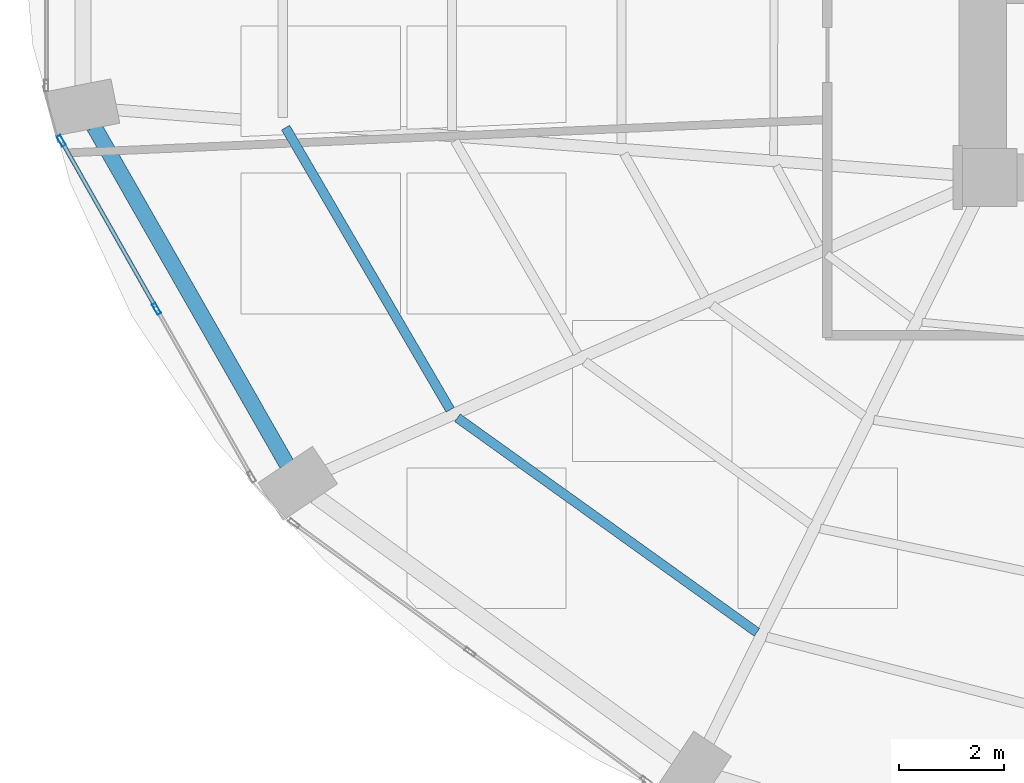
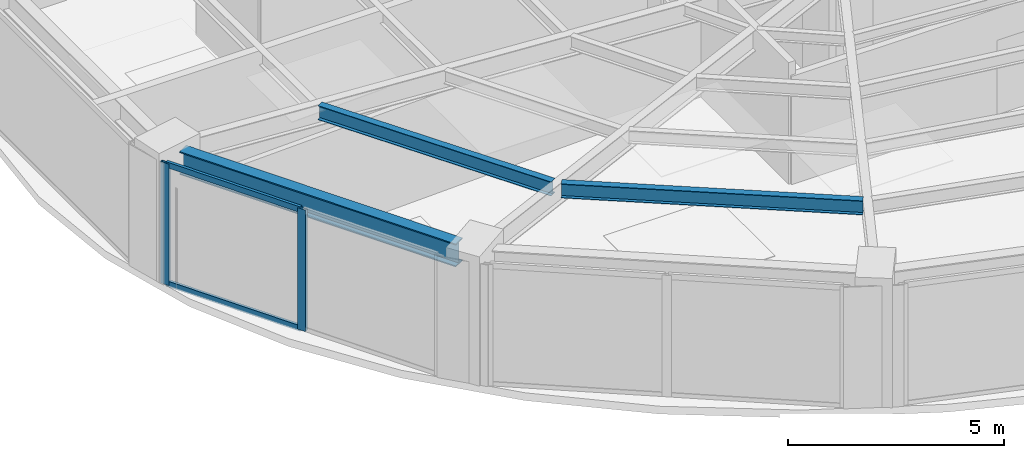
# One storey, part 3 of 24: 4 members, 3 beams, 1 element without a shape of its own.
"""IFC4 building model written with IfcOpenShell, lengths in metres."""

from ifc_helpers import new_model, si_unit, direction, frame, origin, origin_2d, place, context, subcontext, project, spatial, hollow_rectangle, i_section, extrude, material, layer, layer_set, material_profile, profile_set, type_object, element, aggregate, save


model = new_model("IFC4")

# Units and contexts
model_context = context("Model", 3, precision=1e-05, world=origin(), true_north=direction((0.0, 1.0)))
body_context = subcontext(model_context, "Body", "Model", "MODEL_VIEW")
ifc_project = project(units=[si_unit("LENGTHUNIT", "METRE"), si_unit("AREAUNIT", "SQUARE_METRE"), si_unit("VOLUMEUNIT", "CUBIC_METRE"), si_unit("PLANEANGLEUNIT", "RADIAN"), si_unit("MASSUNIT", "GRAM", prefix="KILO")], contexts=[model_context])

# Site, building, storey
site_placement = place(None, origin())
site = spatial("IfcSite", under=ifc_project, at=site_placement, CompositionType="ELEMENT")
building_placement = place(site_placement, origin())
building = spatial("IfcBuilding", under=site, at=building_placement, Name="Lazwardi Medical Tower", CompositionType="ELEMENT")
storey_placement = place(building_placement, frame((0.0, 0.0, 39.7919921875)))
storey = spatial("IfcBuildingStorey", under=building, at=storey_placement, Name="L09", CompositionType="ELEMENT", Elevation=39.7919921875)

# Beams
ifc_material_1 = material(Name="Steel S355", Category="steel")
ifc_material_profile_1 = material_profile(ifc_material_1, i_section(OverallWidth=0.300048828125, OverallDepth=0.64990234375, WebThickness=0.01611328125, FlangeThickness=0.031005859375, at=origin_2d()), Name="HEB 650")
ifc_profile_set_1 = profile_set([ifc_material_profile_1], Name="Steel S355")
beam_type_1 = type_object("IfcBeamType", Name="BM-RB-Z1", PredefinedType="BEAM", material=ifc_profile_set_1)
beam_1_placement = place(storey_placement, frame((9.408203125, 21.36767578125, 3.10302734375), z_axis=(0.49581512241, -0.868428099724, 0.0), x_axis=(0.868428099724, 0.49581512241, 0.0)))
element("IfcBeam", 1, at=beam_1_placement, inside=storey, type_object=beam_type_1, Name="Ring beam RB-02 B13 L09", PredefinedType="BEAM", context=body_context, shape_type="SweptSolid", body=[
    extrude(i_section(OverallWidth=0.300048828125, OverallDepth=0.64990234375, WebThickness=0.01611328125, FlangeThickness=0.031005859375, at=origin_2d()), origin(), (0.0, 0.0, 1.0), 7.389404296875),
])
ifc_material_profile_2 = material_profile(ifc_material_1, i_section(OverallWidth=0.179931640625, OverallDepth=0.39990234375, WebThickness=0.008544921875, FlangeThickness=0.013427734375, at=origin_2d()), Name="IPE 400")
ifc_profile_set_2 = profile_set([ifc_material_profile_2], Name="Steel S355")
beam_type_2 = type_object("IfcBeamType", Name="BM-SJ-01", PredefinedType="JOIST", material=ifc_profile_set_2)
beam_2_placement = place(storey_placement, frame((13.048828125, 21.34765625, 3.22802734375), z_axis=(0.503846579557, -0.863793160582, 0.0), x_axis=(0.863793160582, 0.503846579557, 0.0)))
element("IfcBeam", 2, at=beam_2_placement, inside=storey, type_object=beam_type_2, Name="Secondary joist SJ-01 R1 B13 L09", PredefinedType="JOIST", context=body_context, shape_type="SweptSolid", body=[
    extrude(i_section(OverallWidth=0.179931640625, OverallDepth=0.39990234375, WebThickness=0.008544921875, FlangeThickness=0.013427734375, at=origin_2d()), origin(), (0.0, 0.0, 1.0), 6.20947265625),
])
beam_3_placement = place(storey_placement, frame((16.31591796875, 15.83203125, 3.22802734375), z_axis=(0.812901036873, -0.582401840872, 0.0), x_axis=(0.582401840872, 0.812901036873, 0.0)))
element("IfcBeam", 3, at=beam_3_placement, inside=storey, type_object=beam_type_2, Name="Secondary joist SJ-01 R1 B14 L09", PredefinedType="JOIST", context=body_context, shape_type="SweptSolid", body=[
    extrude(i_section(OverallWidth=0.179931640625, OverallDepth=0.39990234375, WebThickness=0.008544921875, FlangeThickness=0.013427734375, at=origin_2d()), origin(), (0.0, 0.0, 1.0), 7.002197265625),
])

# Curtain wall, members
ifc_material_2 = material(Name="Anodised bronze aluminium and solar control glazing", Category="aluminium")
ifc_layer = layer(ifc_material_2, 0.199951171875)
ifc_layer_set = layer_set([ifc_layer], Name="Anodised bronze aluminium and solar control glazing")
curtain_wall_type = type_object("IfcCurtainWallType", Name="CW-SYS-02", PredefinedType="NOTDEFINED", material=ifc_layer_set)
curtain_wall_placement = place(storey_placement, origin())
curtain_wall = element("IfcCurtainWall", 4, at=curtain_wall_placement, inside=storey, type_object=curtain_wall_type, Name="L09 Unitised bronze curtain wall CW-02", PredefinedType="NOTDEFINED")
ifc_material_3 = material(Name="Anodised bronze aluminium", Category="aluminium")
ifc_material_profile_3 = material_profile(ifc_material_3, hollow_rectangle(XDim=0.074951171875, YDim=0.219970703125, WallThickness=0.00390625, at=origin_2d()), Name="ALU-MULLION 220x75x4")
ifc_profile_set_3 = profile_set([ifc_material_profile_3], Name="Anodised bronze aluminium")
member_type_1 = type_object("IfcMemberType", Name="CW-MUL-01", PredefinedType="MULLION", material=ifc_profile_set_3)
member_1_placement = place(storey_placement, frame((8.785888671875, 21.09765625, 0.0), z_axis=(0.0, 0.0, 1.0), x_axis=(0.870111838823, 0.492854327303, 0.0)))
member_1 = element("IfcMember", 5, at=member_1_placement, type_object=member_type_1, Name="CW-02 mullion 1", PredefinedType="MULLION", context=body_context, shape_type="SweptSolid", body=[
    extrude(hollow_rectangle(XDim=0.074951171875, YDim=0.219970703125, WallThickness=0.00390625, at=origin_2d()), origin(), (0.0, 0.0, 1.0), 3.427978515625),
])
member_2_placement = place(storey_placement, frame((10.5947265625, 17.904541015625, 0.0), z_axis=(0.0, 0.0, 1.0), x_axis=(0.870111838823, 0.492854327303, 0.0)))
member_2 = element("IfcMember", 6, at=member_2_placement, type_object=member_type_1, Name="CW-02 mullion 2", PredefinedType="MULLION", context=body_context, shape_type="SweptSolid", body=[
    extrude(hollow_rectangle(XDim=0.074951171875, YDim=0.219970703125, WallThickness=0.00390625, at=origin_2d()), origin(), (0.0, 0.0, 1.0), 3.427978515625),
])
ifc_material_profile_4 = material_profile(ifc_material_3, hollow_rectangle(XDim=0.074951171875, YDim=0.159912109375, WallThickness=0.00390625, at=origin_2d()), Name="ALU-TRANSOM 160x75x4")
ifc_profile_set_4 = profile_set([ifc_material_profile_4], Name="Anodised bronze aluminium")
member_type_2 = type_object("IfcMemberType", Name="CW-TRN-01", PredefinedType="USERDEFINED", material=ifc_profile_set_4)
member_3_placement = place(storey_placement, frame((8.804443359375, 21.06494140625, 0.03759765625), z_axis=(0.492880614687, -0.870096948429, 0.0), x_axis=(0.870096948429, 0.492880614687, 0.0)))
member_3 = element("IfcMember", 7, at=member_3_placement, type_object=member_type_2, Name="CW-02 transom 1.1", ObjectType="TRANSOM", PredefinedType="USERDEFINED", context=body_context, shape_type="SweptSolid", body=[
    extrude(hollow_rectangle(XDim=0.074951171875, YDim=0.159912109375, WallThickness=0.00390625, at=origin_2d()), origin(), (0.0, 0.0, 1.0), 3.5947265625),
])
member_4_placement = place(storey_placement, frame((8.804443359375, 21.06494140625, 3.390625), z_axis=(0.492880614687, -0.870096948429, 0.0), x_axis=(0.870096948429, 0.492880614687, 0.0)))
member_4 = element("IfcMember", 8, at=member_4_placement, type_object=member_type_2, Name="CW-02 transom 1.2", ObjectType="TRANSOM", PredefinedType="USERDEFINED", context=body_context, shape_type="SweptSolid", body=[
    extrude(hollow_rectangle(XDim=0.074951171875, YDim=0.159912109375, WallThickness=0.00390625, at=origin_2d()), origin(), (0.0, 0.0, 1.0), 3.5947265625),
])
aggregate(curtain_wall, [member_1, member_2, member_3, member_4])

save(model, "model.ifc")
